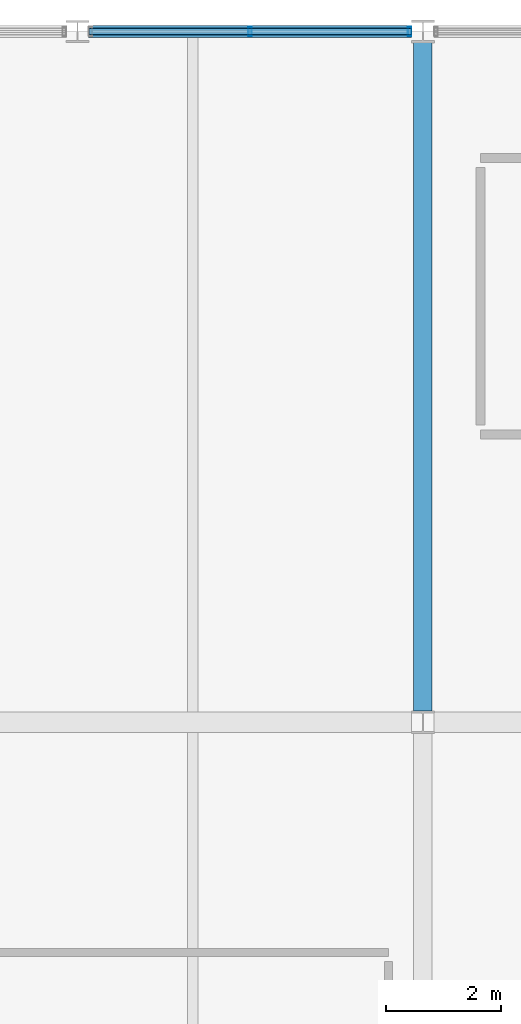
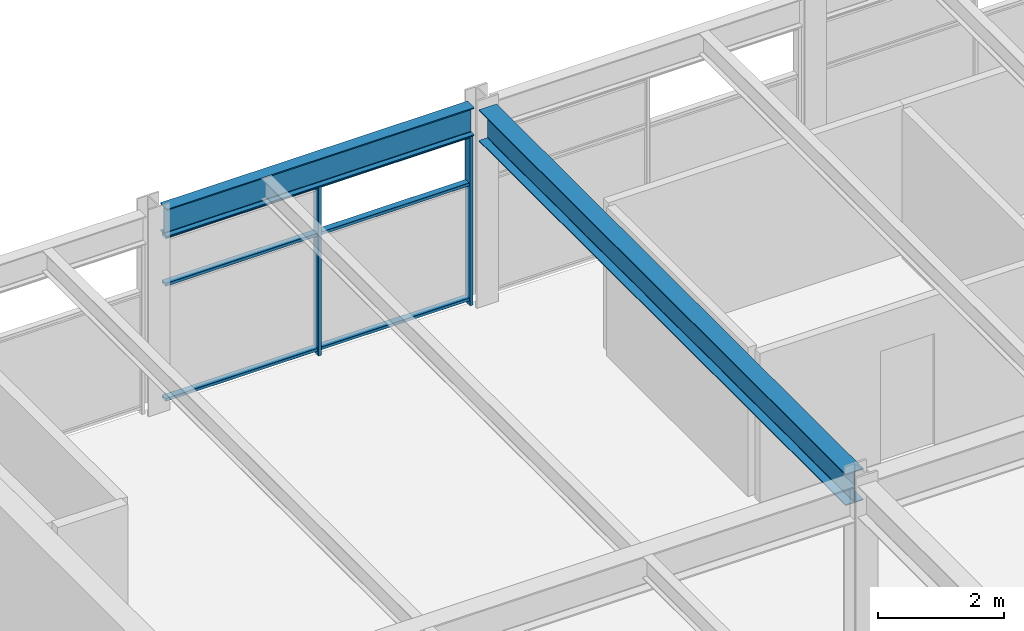
# One storey, part 23 of 51: 5 members, 2 beams, 1 element without a shape of its own.
"""IFC4 building model written with IfcOpenShell, lengths in metres."""

from ifc_helpers import new_model, si_unit, direction, frame, origin, origin_2d, place, context, subcontext, project, spatial, hollow_rectangle, i_section, extrude, material, material_profile, profile_set, type_object, element, aggregate, save


model = new_model("IFC4")

# Units and contexts
model_context = context("Model", 3, precision=1e-05, world=origin(), true_north=direction((0.0, 1.0)))
body_context = subcontext(model_context, "Body", "Model", "MODEL_VIEW")
ifc_project = project(units=[si_unit("LENGTHUNIT", "METRE"), si_unit("AREAUNIT", "SQUARE_METRE"), si_unit("VOLUMEUNIT", "CUBIC_METRE"), si_unit("PLANEANGLEUNIT", "RADIAN"), si_unit("MASSUNIT", "GRAM", prefix="KILO")], contexts=[model_context])

# Site, building, storey
site_placement = place(None, origin())
site = spatial("IfcSite", under=ifc_project, at=site_placement, CompositionType="ELEMENT")
building_placement = place(site_placement, origin())
building = spatial("IfcBuilding", under=site, at=building_placement, Name="Girod Span Mobility Hub", CompositionType="ELEMENT")
storey_placement = place(building_placement, frame((0.0, 0.0, 41.60009765625)))
storey = spatial("IfcBuildingStorey", under=building, at=storey_placement, Name="L10", CompositionType="ELEMENT", Elevation=41.60009765625)

# Beams
ifc_material_1 = material(Name="Steel A992 Grade 50", Category="steel")
ifc_material_profile_1 = material_profile(ifc_material_1, i_section(OverallWidth=0.2119140625, OverallDepth=0.5439453125, WebThickness=0.01318359375, FlangeThickness=0.021240234375, FilletRadius=0.014892578125, at=origin_2d()), Name="W21X83")
ifc_profile_set_1 = profile_set([ifc_material_profile_1], Name="Steel A992 Grade 50")
beam_type_1 = type_object("IfcBeamType", Name="BM-STL-W21X83", PredefinedType="SPANDREL", material=ifc_profile_set_1)
beam_1_placement = place(storey_placement, frame((66.194091796875, 69.0, 3.552978515625), z_axis=(1.0, 0.0, 0.0), x_axis=(0.0, 1.0, 0.0)))
element("IfcBeam", 1, at=beam_1_placement, inside=storey, type_object=beam_type_1, Name="Spandrel Beam 6-7/F-E L10", PredefinedType="SPANDREL", context=body_context, shape_type="SweptSolid", body=[
    extrude(i_section(OverallWidth=0.2119140625, OverallDepth=0.5439453125, WebThickness=0.01318359375, FlangeThickness=0.021240234375, FilletRadius=0.014892578125, at=origin_2d()), origin(), (0.0, 0.0, 1.0), 5.609375),
])
ifc_material_2 = material(Name="Steel A992 Grade 50", Category="steel")
ifc_material_profile_2 = material_profile(ifc_material_2, i_section(OverallWidth=0.323974609375, OverallDepth=0.611083984375, WebThickness=0.0126953125, FlangeThickness=0.01904296875, FilletRadius=0.014892578125, at=origin_2d()), Name="W24X104")
ifc_profile_set_2 = profile_set([ifc_material_profile_2], Name="Steel A992 Grade 50")
beam_type_2 = type_object("IfcBeamType", Name="BM-STL-W24X104", PredefinedType="BEAM", material=ifc_profile_set_2)
beam_2_placement = place(storey_placement, frame((72.0, 57.193603515625, 3.519287109375), z_axis=(0.0, 1.0, 0.0), x_axis=(-1.0, 0.0, 0.0)))
element("IfcBeam", 2, at=beam_2_placement, inside=storey, type_object=beam_type_2, Name="Tie Girder 7/E-F L10", PredefinedType="BEAM", context=body_context, shape_type="SweptSolid", body=[
    extrude(i_section(OverallWidth=0.323974609375, OverallDepth=0.611083984375, WebThickness=0.0126953125, FlangeThickness=0.01904296875, FilletRadius=0.014892578125, at=origin_2d()), origin(), (0.0, 0.0, 1.0), 11.61279296875),
])

# Curtain wall, members
ifc_material_3 = material(Name="Thermally Broken Anodised Aluminium", Category="aluminium")
curtain_wall_type = type_object("IfcCurtainWallType", Name="CW-561X328", PredefinedType="USERDEFINED", material=ifc_material_3)
curtain_wall_placement = place(storey_placement, origin())
curtain_wall = element("IfcCurtainWall", 3, at=curtain_wall_placement, inside=storey, type_object=curtain_wall_type, Name="Unitised Curtain Wall CW-L10-N06E L10", ObjectType="UNITISED CURTAIN WALL", PredefinedType="USERDEFINED")
ifc_material_4 = material(Name="Thermally Broken Anodised Aluminium", Category="aluminium")
ifc_material_profile_3 = material_profile(ifc_material_4, hollow_rectangle(XDim=0.159912109375, YDim=0.06005859375, WallThickness=0.00341796875, InnerFilletRadius=0.00341796875, OuterFilletRadius=0.007080078125, at=origin_2d()), Name="CW-ML-60X160")
ifc_profile_set_3 = profile_set([ifc_material_profile_3], Name="Thermally Broken Anodised Aluminium")
member_type_1 = type_object("IfcMemberType", Name="CWM-ML-3", PredefinedType="MULLION", material=ifc_profile_set_3)
member_1_placement = place(storey_placement, frame((68.998779296875, 69.0, 0.0), z_axis=(0.0, 0.0, 1.0), x_axis=(0.0, 1.0, 0.0)))
member_1 = element("IfcMember", 4, at=member_1_placement, type_object=member_type_1, Name="Curtain Wall Mullion CW-L10-N06E-M1", PredefinedType="MULLION", context=body_context, shape_type="SweptSolid", body=[
    extrude(hollow_rectangle(XDim=0.159912109375, YDim=0.06005859375, WallThickness=0.00341796875, InnerFilletRadius=0.00341796875, OuterFilletRadius=0.007080078125, at=origin_2d()), origin(), (0.0, 0.0, 1.0), 3.281005859375),
])
member_2_placement = place(storey_placement, frame((71.7705078125, 69.0, 0.0), z_axis=(0.0, 0.0, 1.0), x_axis=(0.0, 1.0, 0.0)))
member_2 = element("IfcMember", 5, at=member_2_placement, type_object=member_type_1, Name="Curtain Wall Mullion CW-L10-N06E-M2", PredefinedType="MULLION", context=body_context, shape_type="SweptSolid", body=[
    extrude(hollow_rectangle(XDim=0.159912109375, YDim=0.06005859375, WallThickness=0.00341796875, InnerFilletRadius=0.00341796875, OuterFilletRadius=0.007080078125, at=origin_2d()), origin(), (0.0, 0.0, 1.0), 3.281005859375),
])
ifc_material_5 = material(Name="Thermally Broken Anodised Aluminium", Category="aluminium")
ifc_material_profile_4 = material_profile(ifc_material_5, hollow_rectangle(XDim=0.1201171875, YDim=0.06005859375, WallThickness=0.00341796875, InnerFilletRadius=0.00341796875, OuterFilletRadius=0.007080078125, at=origin_2d()), Name="CW-TR-60X120")
ifc_profile_set_4 = profile_set([ifc_material_profile_4], Name="Thermally Broken Anodised Aluminium")
member_type_2 = type_object("IfcMemberType", Name="CWM-TR-3", PredefinedType="USERDEFINED", material=ifc_profile_set_4)
member_3_placement = place(storey_placement, frame((66.195068359375, 69.0, 0.10986328125), z_axis=(1.0, 0.0, 0.0), x_axis=(0.0, 1.0, 0.0)))
member_3 = element("IfcMember", 6, at=member_3_placement, type_object=member_type_2, Name="Curtain Wall Transom CW-L10-N06E-T1", ObjectType="TRANSOM", PredefinedType="USERDEFINED", context=body_context, shape_type="SweptSolid", body=[
    extrude(hollow_rectangle(XDim=0.1201171875, YDim=0.06005859375, WallThickness=0.00341796875, InnerFilletRadius=0.00341796875, OuterFilletRadius=0.007080078125, at=origin_2d()), origin(), (0.0, 0.0, 1.0), 5.607421875),
])
member_4_placement = place(storey_placement, frame((66.195068359375, 69.0, 2.332275390625), z_axis=(1.0, 0.0, 0.0), x_axis=(0.0, 1.0, 0.0)))
member_4 = element("IfcMember", 7, at=member_4_placement, type_object=member_type_2, Name="Curtain Wall Transom CW-L10-N06E-T2", ObjectType="TRANSOM", PredefinedType="USERDEFINED", context=body_context, shape_type="SweptSolid", body=[
    extrude(hollow_rectangle(XDim=0.1201171875, YDim=0.06005859375, WallThickness=0.00341796875, InnerFilletRadius=0.00341796875, OuterFilletRadius=0.007080078125, at=origin_2d()), origin(), (0.0, 0.0, 1.0), 5.607421875),
])
member_5_placement = place(storey_placement, frame((66.195068359375, 69.0, 3.2509765625), z_axis=(1.0, 0.0, 0.0), x_axis=(0.0, 1.0, 0.0)))
member_5 = element("IfcMember", 8, at=member_5_placement, type_object=member_type_2, Name="Curtain Wall Transom CW-L10-N06E-T3", ObjectType="TRANSOM", PredefinedType="USERDEFINED", context=body_context, shape_type="SweptSolid", body=[
    extrude(hollow_rectangle(XDim=0.1201171875, YDim=0.06005859375, WallThickness=0.00341796875, InnerFilletRadius=0.00341796875, OuterFilletRadius=0.007080078125, at=origin_2d()), origin(), (0.0, 0.0, 1.0), 5.607421875),
])
aggregate(curtain_wall, [member_1, member_2, member_3, member_4, member_5])

save(model, "model.ifc")
